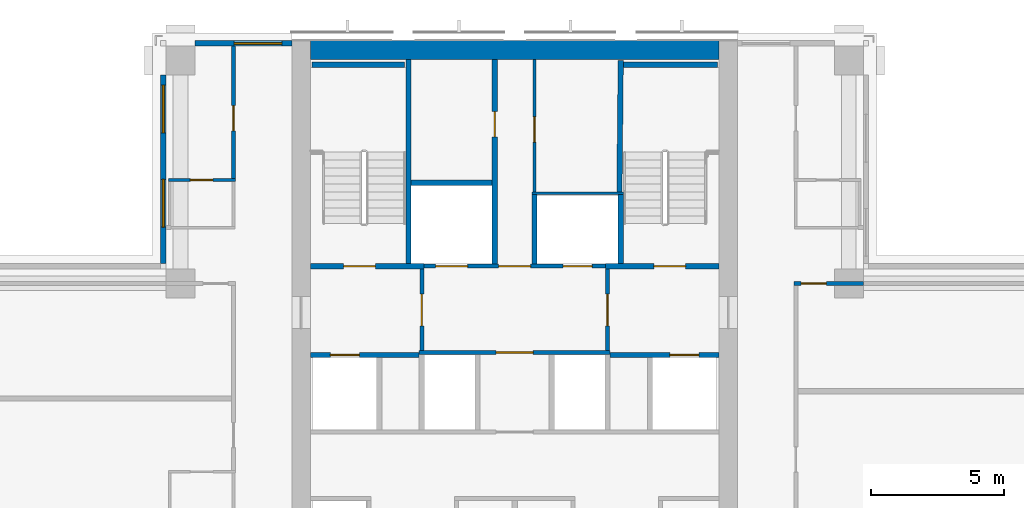
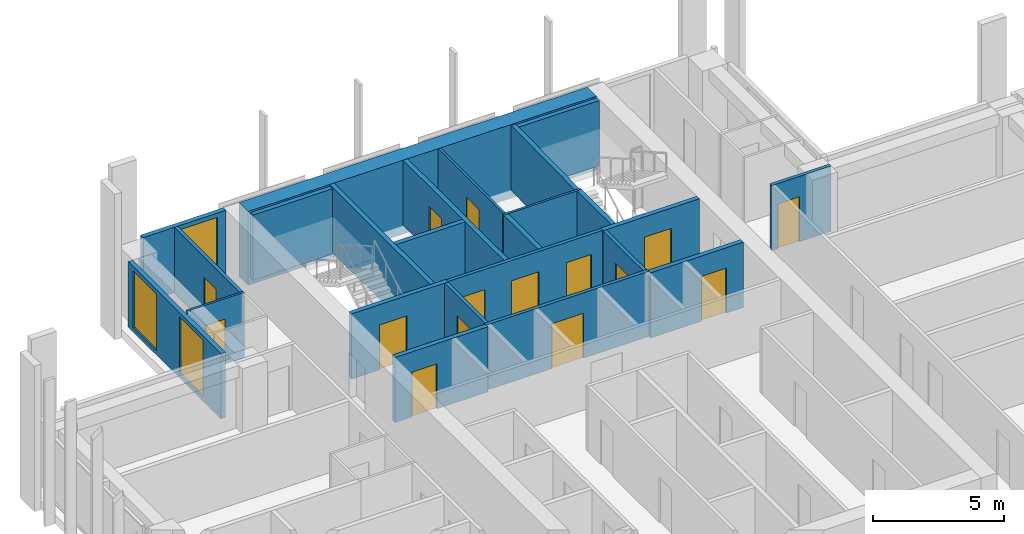
# One storey, part 12 of 16: 24 walls, 15 doors, 3 windows, 18 openings.
"""IFC4 building model written with IfcOpenShell, lengths in metres."""

from ifc_helpers import new_model, si_unit, direction, frame, frame_2d, origin, place, context, subcontext, project, spatial, rectangle, extrude, material, layer, layer_set, type_object, element, fill, save


model = new_model("IFC4")

# Units and contexts
model_context = context("Model", 3, precision=1e-05, world=origin(), true_north=direction((0.0, 1.0)))
body_context = subcontext(model_context, "Body", "Model", "MODEL_VIEW")
ifc_project = project(units=[si_unit("LENGTHUNIT", "METRE"), si_unit("AREAUNIT", "SQUARE_METRE"), si_unit("VOLUMEUNIT", "CUBIC_METRE"), si_unit("PLANEANGLEUNIT", "RADIAN"), si_unit("MASSUNIT", "GRAM", prefix="KILO")], contexts=[model_context])

# Site, building, storey
site_placement = place(None, origin())
site = spatial("IfcSite", under=ifc_project, at=site_placement, CompositionType="ELEMENT")
building_placement = place(site_placement, origin())
building = spatial("IfcBuilding", under=site, at=building_placement, Name="Vermilion Ogive Tower", CompositionType="ELEMENT")
storey_placement = place(building_placement, frame((0.0, 0.0, 164.14990234375)))
storey = spatial("IfcBuildingStorey", under=building, at=storey_placement, Name="L42", CompositionType="ELEMENT", Elevation=164.14990234375)

# Wall
ifc_material_1 = material(Name="Concrete B60", Category="concrete")
ifc_layer_1 = layer(ifc_material_1, 0.699951171875)
ifc_layer_set_1 = layer_set([ifc_layer_1], Name="Core wall 700 B60")
wall_type_1 = type_object("IfcWallType", Name="Core wall 700 B60", PredefinedType="SHEAR", material=ifc_layer_set_1)
wall_1_placement = place(storey_placement, frame((-7.699951171875, 21.39990234375, -0.39990234375), z_axis=(0.0, 0.0, 1.0), x_axis=(1.0, 0.0, 0.0)))
element("IfcWall", 1, at=wall_1_placement, inside=storey, type_object=wall_type_1, Name="L42-CORE-N", PredefinedType="SHEAR", context=body_context, shape_type="SweptSolid", body=[
    extrude(rectangle(XDim=15.39990234375, YDim=0.699951171875, at=frame_2d((7.699951171875, 0.0))), origin(), (0.0, 0.0, 1.0), 3.449951171875),
])

# Wall, opening, door
ifc_material_2 = material(Name="Gypsum board partition on steel studs", Category="steel")
ifc_layer_2 = layer(ifc_material_2, 0.10009765625)
ifc_layer_set_2 = layer_set([ifc_layer_2], Name="Partition 100 bath")
wall_type_2 = type_object("IfcWallType", Name="Partition 100 bath", PredefinedType="PARTITIONING", material=ifc_layer_set_2)
wall_2_placement = place(storey_placement, frame((-13.050048828125, 16.5, 0.0), z_axis=(0.0, 0.0, 1.0), x_axis=(1.0, 0.0, 0.0)))
wall_2 = element("IfcWall", 2, at=wall_2_placement, inside=storey, type_object=wall_type_2, Name="L42-W-W036", PredefinedType="PARTITIONING", context=body_context, shape_type="SweptSolid", body=[
    extrude(rectangle(XDim=2.525146484375, YDim=0.10009765625, at=frame_2d((1.2626953125, 0.0))), origin(), (0.0, 0.0, 1.0), 3.050048828125),
])
opening_1_placement = place(wall_2_placement, frame((0.824951171875, 0.0, 0.0)))
opening_1 = element("IfcOpeningElement", 3, at=opening_1_placement, cuts=wall_2, Name="Opening D3G5007", PredefinedType="OPENING", context=body_context, shape_type="SweptSolid", body=[
    extrude(rectangle(XDim=0.85009765625, YDim=2.10009765625, at=frame_2d((0.425048828125, 1.050048828125))), frame((0.0, 0.06005859375, 0.0), z_axis=(0.0, -1.0, 0.0), x_axis=(1.0, 0.0, 0.0)), (0.0, 0.0, 1.0), 0.1201171875),
])
ifc_material_3 = material(Name="Timber door leaf", Category="wood")
door_type_1 = type_object("IfcDoorType", Name="Bath door 850 x 2100 FD30", OperationType="SINGLE_SWING_LEFT", PredefinedType="DOOR", material=ifc_material_3)
door_1_placement = place(opening_1_placement, origin())
door_1 = element("IfcDoor", 4, at=door_1_placement, inside=storey, type_object=door_type_1, Name="L42-D-D007", OperationType="SINGLE_SWING_RIGHT", OverallHeight=2.10009765625, OverallWidth=0.85009765625, PredefinedType="DOOR", context=body_context, shape_type="SweptSolid", body=[
    extrude(rectangle(XDim=0.85009765625, YDim=2.10009765625, at=frame_2d((0.425048828125, 1.050048828125))), frame((0.0, 0.02490234375, 0.0), z_axis=(0.0, -1.0, 0.0), x_axis=(1.0, 0.0, 0.0)), (0.0, 0.0, 1.0), 0.050048828125),
])
fill(opening_1, door_1)

# Wall
wall_3_placement = place(storey_placement, frame((0.64990234375, 16.0, 0.0), z_axis=(0.0, 0.0, 1.0), x_axis=(1.0, 0.0, 0.0)))
element("IfcWall", 5, at=wall_3_placement, inside=storey, type_object=wall_type_2, Name="L42-CK-W-W018", PredefinedType="PARTITIONING", context=body_context, shape_type="SweptSolid", body=[
    extrude(rectangle(XDim=3.4501953125, YDim=0.10009765625, at=frame_2d((1.72509765625, 0.0))), origin(), (0.0, 0.0, 1.0), 3.050048828125),
])

# Wall, opening, door
wall_4_placement = place(storey_placement, frame((0.75, 16.050048828125, 0.0), z_axis=(0.0, 0.0, 1.0), x_axis=(0.0, 1.0, 0.0)))
wall_4 = element("IfcWall", 6, at=wall_4_placement, inside=storey, type_object=wall_type_2, Name="L42-CK-W-W030", PredefinedType="PARTITIONING", context=body_context, shape_type="SweptSolid", body=[
    extrude(rectangle(XDim=4.9990234375, YDim=0.10009765625, at=frame_2d((2.49951171875, 0.0))), origin(), (0.0, 0.0, 1.0), 3.050048828125),
])
opening_2_placement = place(wall_4_placement, frame((1.875, 0.0, 0.0)))
opening_2 = element("IfcOpeningElement", 7, at=opening_2_placement, cuts=wall_4, Name="Opening DAA383", PredefinedType="OPENING", context=body_context, shape_type="SweptSolid", body=[
    extrude(rectangle(XDim=0.949951171875, YDim=2.10009765625, at=frame_2d((0.47509765625, 1.050048828125))), frame((0.0, 0.06005859375, 0.0), z_axis=(0.0, -1.0, 0.0), x_axis=(1.0, 0.0, 0.0)), (0.0, 0.0, 1.0), 0.1201171875),
])
ifc_material_4 = material(Name="Timber door leaf", Category="wood")
door_type_2 = type_object("IfcDoorType", Name="Service door 950 x 2100 FD60", OperationType="SINGLE_SWING_LEFT", PredefinedType="DOOR", material=ifc_material_4)
door_2_placement = place(opening_2_placement, origin())
door_2 = element("IfcDoor", 8, at=door_2_placement, inside=storey, type_object=door_type_2, Name="L42-CK-D-D022", OperationType="SINGLE_SWING_LEFT", OverallHeight=2.10009765625, OverallWidth=0.949951171875, PredefinedType="DOOR", context=body_context, shape_type="SweptSolid", body=[
    extrude(rectangle(XDim=0.949951171875, YDim=2.10009765625, at=frame_2d((0.47509765625, 1.050048828125))), frame((0.0, 0.02490234375, 0.0), z_axis=(0.0, -1.0, 0.0), x_axis=(1.0, 0.0, 0.0)), (0.0, 0.0, 1.0), 0.050048828125),
])
fill(opening_2, door_2)

ifc_material_5 = material(Name="Gypsum board partition on steel studs", Category="steel")
ifc_layer_3 = layer(ifc_material_5, 0.14990234375)
ifc_layer_set_3 = layer_set([ifc_layer_3], Name="Partition 150 corridor")
wall_type_3 = type_object("IfcWallType", Name="Partition 150 corridor", PredefinedType="PARTITIONING", material=ifc_layer_set_3)
wall_5_placement = place(storey_placement, frame((10.52490234375, 12.60009765625, 0.0), z_axis=(0.0, 0.0, 1.0), x_axis=(1.0, 0.0, 0.0)))
wall_5 = element("IfcWall", 9, at=wall_5_placement, inside=storey, type_object=wall_type_3, Name="L42-W-W031", PredefinedType="PARTITIONING", context=body_context, shape_type="SweptSolid", body=[
    extrude(rectangle(XDim=2.625, YDim=0.14990234375, at=frame_2d((1.3125, 0.0))), origin(), (0.0, 0.0, 1.0), 3.050048828125),
])
opening_3_placement = place(wall_5_placement, frame((0.275146484375, 0.0, 0.0)))
opening_3 = element("IfcOpeningElement", 10, at=opening_3_placement, cuts=wall_5, Name="Opening D3G5015", PredefinedType="OPENING", context=body_context, shape_type="SweptSolid", body=[
    extrude(rectangle(XDim=0.949951171875, YDim=2.10009765625, at=frame_2d((0.47509765625, 1.050048828125))), frame((0.0, 0.0849609375, 0.0), z_axis=(0.0, -1.0, 0.0), x_axis=(1.0, 0.0, 0.0)), (0.0, 0.0, 1.0), 0.169921875),
])
ifc_material_6 = material(Name="Timber door leaf", Category="wood")
door_type_3 = type_object("IfcDoorType", Name="Unit door 950 x 2100 FD30S", OperationType="SINGLE_SWING_LEFT", PredefinedType="DOOR", material=ifc_material_6)
door_3_placement = place(opening_3_placement, origin())
door_3 = element("IfcDoor", 11, at=door_3_placement, inside=storey, type_object=door_type_3, Name="L42-D-D015", OperationType="SINGLE_SWING_RIGHT", OverallHeight=2.10009765625, OverallWidth=0.949951171875, PredefinedType="DOOR", context=body_context, shape_type="SweptSolid", body=[
    extrude(rectangle(XDim=0.949951171875, YDim=2.10009765625, at=frame_2d((0.47509765625, 1.050048828125))), frame((0.0, 0.02490234375, 0.0), z_axis=(0.0, -1.0, 0.0), x_axis=(1.0, 0.0, 0.0)), (0.0, 0.0, 1.0), 0.050048828125),
])
fill(opening_3, door_3)

wall_6_placement = place(storey_placement, frame((-10.60009765625, 16.550048828125, 0.0), z_axis=(0.0, 0.0, 1.0), x_axis=(0.0, 1.0, 0.0)))
wall_6 = element("IfcWall", 12, at=wall_6_placement, inside=storey, type_object=wall_type_3, Name="L42-W-W049", PredefinedType="PARTITIONING", context=body_context, shape_type="SweptSolid", body=[
    extrude(rectangle(XDim=5.0, YDim=0.14990234375, at=frame_2d((2.5, 0.0))), origin(), (0.0, 0.0, 1.0), 3.050048828125),
])
opening_4_placement = place(wall_6_placement, frame((1.800048828125, 0.0, 0.0)))
opening_4 = element("IfcOpeningElement", 13, at=opening_4_placement, cuts=wall_6, Name="Opening D3G5006", PredefinedType="OPENING", context=body_context, shape_type="SweptSolid", body=[
    extrude(rectangle(XDim=0.949951171875, YDim=2.10009765625, at=frame_2d((0.47509765625, 1.050048828125))), frame((0.0, 0.0849609375, 0.0), z_axis=(0.0, -1.0, 0.0), x_axis=(1.0, 0.0, 0.0)), (0.0, 0.0, 1.0), 0.169921875),
])
door_4_placement = place(opening_4_placement, origin())
door_4 = element("IfcDoor", 14, at=door_4_placement, inside=storey, type_object=door_type_3, Name="L42-D-D006", OperationType="SINGLE_SWING_RIGHT", OverallHeight=2.10009765625, OverallWidth=0.949951171875, PredefinedType="DOOR", context=body_context, shape_type="SweptSolid", body=[
    extrude(rectangle(XDim=0.949951171875, YDim=2.10009765625, at=frame_2d((0.47509765625, 1.050048828125))), frame((0.0, 0.02490234375, 0.0), z_axis=(0.0, -1.0, 0.0), x_axis=(1.0, 0.0, 0.0)), (0.0, 0.0, 1.0), 0.050048828125),
])
fill(opening_4, door_4)

wall_7_placement = place(storey_placement, frame((-3.60009765625, 10.0, 0.0), z_axis=(0.0, 0.0, 1.0), x_axis=(1.0, 0.0, 0.0)))
wall_7 = element("IfcWall", 15, at=wall_7_placement, inside=storey, type_object=wall_type_3, Name="L42-CK-W-W014", PredefinedType="PARTITIONING", context=body_context, shape_type="SweptSolid", body=[
    extrude(rectangle(XDim=7.2001953125, YDim=0.14990234375, at=frame_2d((3.60009765625, 0.0))), origin(), (0.0, 0.0, 1.0), 3.050048828125),
])
opening_5_placement = place(wall_7_placement, frame((2.900146484375, 0.0, 0.0)))
opening_5 = element("IfcOpeningElement", 16, at=opening_5_placement, cuts=wall_7, Name="Opening DAA374", PredefinedType="OPENING", context=body_context, shape_type="SweptSolid", body=[
    extrude(rectangle(XDim=1.39990234375, YDim=2.10009765625, at=frame_2d((0.699951171875, 1.050048828125))), frame((0.0, 0.0849609375, 0.0), z_axis=(0.0, -1.0, 0.0), x_axis=(1.0, 0.0, 0.0)), (0.0, 0.0, 1.0), 0.169921875),
])
ifc_material_7 = material(Name="Timber door leaf", Category="wood")
door_type_4 = type_object("IfcDoorType", Name="Lobby door 1400 x 2100 FD60S", OperationType="SINGLE_SWING_LEFT", PredefinedType="DOOR", material=ifc_material_7)
door_5_placement = place(opening_5_placement, origin())
door_5 = element("IfcDoor", 17, at=door_5_placement, inside=storey, type_object=door_type_4, Name="L42-CK-D-D017", OperationType="SINGLE_SWING_RIGHT", OverallHeight=2.10009765625, OverallWidth=1.39990234375, PredefinedType="DOOR", context=body_context, shape_type="SweptSolid", body=[
    extrude(rectangle(XDim=1.39990234375, YDim=2.10009765625, at=frame_2d((0.699951171875, 1.050048828125))), frame((0.0, 0.02490234375, 0.0), z_axis=(0.0, -1.0, 0.0), x_axis=(1.0, 0.0, 0.0)), (0.0, 0.0, 1.0), 0.050048828125),
])
fill(opening_5, door_5)

# Wall, openings, doors
wall_8_placement = place(storey_placement, frame((-3.574951171875, 13.25, 0.0), z_axis=(0.0, 0.0, 1.0), x_axis=(1.0, 0.0, 0.0)))
wall_8 = element("IfcWall", 18, at=wall_8_placement, inside=storey, type_object=wall_type_3, Name="L42-CK-W-W016", PredefinedType="PARTITIONING", context=body_context, shape_type="SweptSolid", body=[
    extrude(rectangle(XDim=7.14990234375, YDim=0.14990234375, at=frame_2d((3.574951171875, 0.0))), origin(), (0.0, 0.0, 1.0), 3.050048828125),
])
opening_6_placement = place(wall_8_placement, frame((0.599853515625, 0.0, 0.0)))
opening_6 = element("IfcOpeningElement", 19, at=opening_6_placement, cuts=wall_8, Name="Opening DAA394", PredefinedType="OPENING", context=body_context, shape_type="SweptSolid", body=[
    extrude(rectangle(XDim=1.199951171875, YDim=2.10009765625, at=frame_2d((0.60009765625, 1.050048828125))), frame((0.0, 0.0849609375, 0.0), z_axis=(0.0, -1.0, 0.0), x_axis=(1.0, 0.0, 0.0)), (0.0, 0.0, 1.0), 0.169921875),
])
opening_7_placement = place(wall_8_placement, frame((5.39990234375, 0.0, 0.0)))
opening_7 = element("IfcOpeningElement", 20, at=opening_7_placement, cuts=wall_8, Name="Opening DAA393", PredefinedType="OPENING", context=body_context, shape_type="SweptSolid", body=[
    extrude(rectangle(XDim=1.10009765625, YDim=2.10009765625, at=frame_2d((0.550048828125, 1.050048828125))), frame((0.0, 0.0849609375, 0.0), z_axis=(0.0, -1.0, 0.0), x_axis=(1.0, 0.0, 0.0)), (0.0, 0.0, 1.0), 0.169921875),
])
opening_8_placement = place(wall_8_placement, frame((2.974853515625, 0.0, 0.0)))
opening_8 = element("IfcOpeningElement", 21, at=opening_8_placement, cuts=wall_8, Name="Opening DAA375", PredefinedType="OPENING", context=body_context, shape_type="SweptSolid", body=[
    extrude(rectangle(XDim=1.199951171875, YDim=2.10009765625, at=frame_2d((0.60009765625, 1.050048828125))), frame((0.0, 0.0849609375, 0.0), z_axis=(0.0, -1.0, 0.0), x_axis=(1.0, 0.0, 0.0)), (0.0, 0.0, 1.0), 0.169921875),
])
ifc_material_8 = material(Name="Stainless steel", Category="steel")
door_type_5 = type_object("IfcDoorType", Name="Lift landing door 1100 x 2100", OperationType="SLIDING_TO_LEFT", PredefinedType="DOOR", material=ifc_material_8)
door_6_placement = place(opening_7_placement, origin())
door_6 = element("IfcDoor", 22, at=door_6_placement, inside=storey, type_object=door_type_5, Name="L42-CK-D-D019", OperationType="SLIDING_TO_LEFT", OverallHeight=2.10009765625, OverallWidth=1.10009765625, PredefinedType="DOOR", context=body_context, shape_type="SweptSolid", body=[
    extrude(rectangle(XDim=1.10009765625, YDim=2.10009765625, at=frame_2d((0.550048828125, 1.050048828125))), frame((0.0, 0.02490234375, 0.0), z_axis=(0.0, -1.0, 0.0), x_axis=(1.0, 0.0, 0.0)), (0.0, 0.0, 1.0), 0.050048828125),
])
fill(opening_7, door_6)
ifc_material_9 = material(Name="Stainless steel", Category="steel")
door_type_6 = type_object("IfcDoorType", Name="Lift landing door 1200 x 2100", OperationType="SLIDING_TO_LEFT", PredefinedType="DOOR", material=ifc_material_9)
door_7_placement = place(opening_6_placement, origin())
door_7 = element("IfcDoor", 23, at=door_7_placement, inside=storey, type_object=door_type_6, Name="L42-CK-D-D018", OperationType="SLIDING_TO_RIGHT", OverallHeight=2.10009765625, OverallWidth=1.199951171875, PredefinedType="DOOR", context=body_context, shape_type="SweptSolid", body=[
    extrude(rectangle(XDim=1.199951171875, YDim=2.10009765625, at=frame_2d((0.60009765625, 1.050048828125))), frame((0.0, 0.02490234375, 0.0), z_axis=(0.0, -1.0, 0.0), x_axis=(1.0, 0.0, 0.0)), (0.0, 0.0, 1.0), 0.050048828125),
])
fill(opening_6, door_7)
ifc_material_10 = material(Name="Timber door leaf", Category="wood")
door_type_7 = type_object("IfcDoorType", Name="Service door 1200 x 2100 FD60", OperationType="SINGLE_SWING_LEFT", PredefinedType="DOOR", material=ifc_material_10)
door_8_placement = place(opening_8_placement, origin())
door_8 = element("IfcDoor", 24, at=door_8_placement, inside=storey, type_object=door_type_7, Name="L42-CK-D-D020", OperationType="SINGLE_SWING_RIGHT", OverallHeight=2.10009765625, OverallWidth=1.199951171875, PredefinedType="DOOR", context=body_context, shape_type="SweptSolid", body=[
    extrude(rectangle(XDim=1.199951171875, YDim=2.10009765625, at=frame_2d((0.60009765625, 1.050048828125))), frame((0.0, 0.02490234375, 0.0), z_axis=(0.0, -1.0, 0.0), x_axis=(1.0, 0.0, 0.0)), (0.0, 0.0, 1.0), 0.050048828125),
])
fill(opening_8, door_8)

# Wall, opening, door
wall_9_placement = place(storey_placement, frame((-3.5, 10.074951171875, 0.0), z_axis=(0.0, 0.0, 1.0), x_axis=(0.0, 1.0, 0.0)))
wall_9 = element("IfcWall", 25, at=wall_9_placement, inside=storey, type_object=wall_type_3, Name="L42-CK-W-W024", PredefinedType="PARTITIONING", context=body_context, shape_type="SweptSolid", body=[
    extrude(rectangle(XDim=3.074951171875, YDim=0.14990234375, at=frame_2d((1.53759765625, 0.0))), origin(), (0.0, 0.0, 1.0), 3.050048828125),
])
opening_9_placement = place(wall_9_placement, frame((0.925048828125, 0.0, 0.0)))
opening_9 = element("IfcOpeningElement", 26, at=opening_9_placement, cuts=wall_9, Name="Opening DAA371", PredefinedType="OPENING", context=body_context, shape_type="SweptSolid", body=[
    extrude(rectangle(XDim=1.199951171875, YDim=2.10009765625, at=frame_2d((0.60009765625, 1.050048828125))), frame((0.0, 0.0849609375, 0.0), z_axis=(0.0, -1.0, 0.0), x_axis=(1.0, 0.0, 0.0)), (0.0, 0.0, 1.0), 0.169921875),
])
ifc_material_11 = material(Name="Timber door leaf", Category="wood")
door_type_8 = type_object("IfcDoorType", Name="Lobby door 1200 x 2100 FD60S", OperationType="SINGLE_SWING_LEFT", PredefinedType="DOOR", material=ifc_material_11)
door_9_placement = place(opening_9_placement, origin())
door_9 = element("IfcDoor", 27, at=door_9_placement, inside=storey, type_object=door_type_8, Name="L42-CK-D-D023", OperationType="SINGLE_SWING_RIGHT", OverallHeight=2.10009765625, OverallWidth=1.199951171875, PredefinedType="DOOR", context=body_context, shape_type="SweptSolid", body=[
    extrude(rectangle(XDim=1.199951171875, YDim=2.10009765625, at=frame_2d((0.60009765625, 1.050048828125))), frame((0.0, 0.02490234375, 0.0), z_axis=(0.0, -1.0, 0.0), x_axis=(1.0, 0.0, 0.0)), (0.0, 0.0, 1.0), 0.050048828125),
])
fill(opening_9, door_9)

wall_10_placement = place(storey_placement, frame((3.5, 10.074951171875, 0.0), z_axis=(0.0, 0.0, 1.0), x_axis=(0.0, 1.0, 0.0)))
wall_10 = element("IfcWall", 28, at=wall_10_placement, inside=storey, type_object=wall_type_3, Name="L42-CK-W-W034", PredefinedType="PARTITIONING", context=body_context, shape_type="SweptSolid", body=[
    extrude(rectangle(XDim=3.074951171875, YDim=0.14990234375, at=frame_2d((1.53759765625, 0.0))), origin(), (0.0, 0.0, 1.0), 3.050048828125),
])
opening_10_placement = place(wall_10_placement, frame((0.925048828125, 0.0, 0.0)))
opening_10 = element("IfcOpeningElement", 29, at=opening_10_placement, cuts=wall_10, Name="Opening DAA372", PredefinedType="OPENING", context=body_context, shape_type="SweptSolid", body=[
    extrude(rectangle(XDim=1.199951171875, YDim=2.10009765625, at=frame_2d((0.60009765625, 1.050048828125))), frame((0.0, 0.0849609375, 0.0), z_axis=(0.0, -1.0, 0.0), x_axis=(1.0, 0.0, 0.0)), (0.0, 0.0, 1.0), 0.169921875),
])
door_10_placement = place(opening_10_placement, origin())
door_10 = element("IfcDoor", 30, at=door_10_placement, inside=storey, type_object=door_type_8, Name="L42-CK-D-D024", OperationType="SINGLE_SWING_LEFT", OverallHeight=2.10009765625, OverallWidth=1.199951171875, PredefinedType="DOOR", context=body_context, shape_type="SweptSolid", body=[
    extrude(rectangle(XDim=1.199951171875, YDim=2.10009765625, at=frame_2d((0.60009765625, 1.050048828125))), frame((0.0, 0.02490234375, 0.0), z_axis=(0.0, -1.0, 0.0), x_axis=(1.0, 0.0, 0.0)), (0.0, 0.0, 1.0), 0.050048828125),
])
fill(opening_10, door_10)

ifc_material_12 = material(Name="Gypsum board partition on steel studs", Category="steel")
ifc_layer_4 = layer(ifc_material_12, 0.199951171875)
ifc_layer_set_4 = layer_set([ifc_layer_4], Name="Partition 200 party")
wall_type_4 = type_object("IfcWallType", Name="Partition 200 party", PredefinedType="PARTITIONING", material=ifc_layer_set_4)
wall_11_placement = place(storey_placement, frame((-7.698974609375, 9.89990234375, 0.0), z_axis=(0.0, 0.0, 1.0), x_axis=(1.0, 0.0, 0.0)))
wall_11 = element("IfcWall", 31, at=wall_11_placement, inside=storey, type_object=wall_type_4, Name="L42-CK-W-W012", PredefinedType="PARTITIONING", context=body_context, shape_type="SweptSolid", body=[
    extrude(rectangle(XDim=4.098876953125, YDim=0.199951171875, at=frame_2d((2.04931640625, 0.0))), origin(), (0.0, 0.0, 1.0), 3.050048828125),
])
opening_11_placement = place(wall_11_placement, frame((0.7490234375, 0.0, 0.0)))
opening_11 = element("IfcOpeningElement", 32, at=opening_11_placement, cuts=wall_11, Name="Opening DAA391", PredefinedType="OPENING", context=body_context, shape_type="SweptSolid", body=[
    extrude(rectangle(XDim=1.10009765625, YDim=2.10009765625, at=frame_2d((0.550048828125, 1.050048828125))), frame((0.0, 0.10986328125, 0.0), z_axis=(0.0, -1.0, 0.0), x_axis=(1.0, 0.0, 0.0)), (0.0, 0.0, 1.0), 0.219970703125),
])
door_11_placement = place(opening_11_placement, origin())
door_11 = element("IfcDoor", 33, at=door_11_placement, inside=storey, type_object=door_type_5, Name="L42-CK-D-D013", OperationType="SLIDING_TO_RIGHT", OverallHeight=2.10009765625, OverallWidth=1.10009765625, PredefinedType="DOOR", context=body_context, shape_type="SweptSolid", body=[
    extrude(rectangle(XDim=1.10009765625, YDim=2.10009765625, at=frame_2d((0.550048828125, 1.050048828125))), frame((0.0, 0.02490234375, 0.0), z_axis=(0.0, -1.0, 0.0), x_axis=(1.0, 0.0, 0.0)), (0.0, 0.0, 1.0), 0.050048828125),
])
fill(opening_11, door_11)

wall_12_placement = place(storey_placement, frame((3.60009765625, 9.89990234375, 0.0), z_axis=(0.0, 0.0, 1.0), x_axis=(1.0, 0.0, 0.0)))
wall_12 = element("IfcWall", 34, at=wall_12_placement, inside=storey, type_object=wall_type_4, Name="L42-CK-W-W013", PredefinedType="PARTITIONING", context=body_context, shape_type="SweptSolid", body=[
    extrude(rectangle(XDim=4.098876953125, YDim=0.199951171875, at=frame_2d((2.04931640625, 0.0))), origin(), (0.0, 0.0, 1.0), 3.050048828125),
])
opening_12_placement = place(wall_12_placement, frame((2.25, 0.0, 0.0)))
opening_12 = element("IfcOpeningElement", 35, at=opening_12_placement, cuts=wall_12, Name="Opening DAA392", PredefinedType="OPENING", context=body_context, shape_type="SweptSolid", body=[
    extrude(rectangle(XDim=1.10009765625, YDim=2.10009765625, at=frame_2d((0.550048828125, 1.050048828125))), frame((0.0, 0.10986328125, 0.0), z_axis=(0.0, -1.0, 0.0), x_axis=(1.0, 0.0, 0.0)), (0.0, 0.0, 1.0), 0.219970703125),
])
door_12_placement = place(opening_12_placement, origin())
door_12 = element("IfcDoor", 36, at=door_12_placement, inside=storey, type_object=door_type_5, Name="L42-CK-D-D015", OperationType="SLIDING_TO_LEFT", OverallHeight=2.10009765625, OverallWidth=1.10009765625, PredefinedType="DOOR", context=body_context, shape_type="SweptSolid", body=[
    extrude(rectangle(XDim=1.10009765625, YDim=2.10009765625, at=frame_2d((0.550048828125, 1.050048828125))), frame((0.0, 0.02490234375, 0.0), z_axis=(0.0, -1.0, 0.0), x_axis=(1.0, 0.0, 0.0)), (0.0, 0.0, 1.0), 0.050048828125),
])
fill(opening_12, door_12)

# Wall
wall_13_placement = place(storey_placement, frame((-3.89990234375, 16.39990234375, 0.0), z_axis=(0.0, 0.0, 1.0), x_axis=(1.0, 0.0, 0.0)))
element("IfcWall", 37, at=wall_13_placement, inside=storey, type_object=wall_type_4, Name="L42-CK-W-W019", PredefinedType="PARTITIONING", context=body_context, shape_type="SweptSolid", body=[
    extrude(rectangle(XDim=3.0498046875, YDim=0.199951171875, at=frame_2d((1.52490234375, 0.0))), origin(), (0.0, 0.0, 1.0), 3.050048828125),
])

# Wall, opening, door
wall_14_placement = place(storey_placement, frame((-0.75, 13.324951171875, 0.0), z_axis=(0.0, 0.0, 1.0), x_axis=(0.0, 1.0, 0.0)))
wall_14 = element("IfcWall", 38, at=wall_14_placement, inside=storey, type_object=wall_type_4, Name="L42-CK-W-W027", PredefinedType="PARTITIONING", context=body_context, shape_type="SweptSolid", body=[
    extrude(rectangle(XDim=7.72412109375, YDim=0.199951171875, at=frame_2d((3.862060546875, 0.0))), origin(), (0.0, 0.0, 1.0), 3.050048828125),
])
opening_13_placement = place(wall_14_placement, frame((4.800048828125, 0.0, 0.0)))
opening_13 = element("IfcOpeningElement", 39, at=opening_13_placement, cuts=wall_14, Name="Opening DAA382", PredefinedType="OPENING", context=body_context, shape_type="SweptSolid", body=[
    extrude(rectangle(XDim=0.949951171875, YDim=2.10009765625, at=frame_2d((0.47509765625, 1.050048828125))), frame((0.0, 0.10986328125, 0.0), z_axis=(0.0, -1.0, 0.0), x_axis=(1.0, 0.0, 0.0)), (0.0, 0.0, 1.0), 0.219970703125),
])
door_13_placement = place(opening_13_placement, origin())
door_13 = element("IfcDoor", 40, at=door_13_placement, inside=storey, type_object=door_type_2, Name="L42-CK-D-D021", OperationType="SINGLE_SWING_RIGHT", OverallHeight=2.10009765625, OverallWidth=0.949951171875, PredefinedType="DOOR", context=body_context, shape_type="SweptSolid", body=[
    extrude(rectangle(XDim=0.949951171875, YDim=2.10009765625, at=frame_2d((0.47509765625, 1.050048828125))), frame((0.0, 0.02490234375, 0.0), z_axis=(0.0, -1.0, 0.0), x_axis=(1.0, 0.0, 0.0)), (0.0, 0.0, 1.0), 0.050048828125),
])
fill(opening_13, door_13)

# Wall
wall_15_placement = place(storey_placement, frame((0.75, 13.324951171875, 0.0), z_axis=(0.0, 0.0, 1.0), x_axis=(0.0, 1.0, 0.0)))
element("IfcWall", 41, at=wall_15_placement, inside=storey, type_object=wall_type_4, Name="L42-CK-W-W029", PredefinedType="PARTITIONING", context=body_context, shape_type="SweptSolid", body=[
    extrude(rectangle(XDim=2.625, YDim=0.199951171875, at=frame_2d((1.3125, 0.0))), origin(), (0.0, 0.0, 1.0), 3.050048828125),
])

# Wall, opening, door
ifc_material_13 = material(Name="Concrete B60", Category="concrete")
ifc_layer_5 = layer(ifc_material_13, 0.199951171875)
ifc_layer_set_5 = layer_set([ifc_layer_5], Name="Stair shaft wall 200 Concrete B60")
wall_type_5 = type_object("IfcWallType", Name="Stair shaft wall 200 Concrete B60", PredefinedType="SOLIDWALL", material=ifc_layer_set_5)
wall_16_placement = place(storey_placement, frame((-7.698974609375, 13.25, 0.0), z_axis=(0.0, 0.0, 1.0), x_axis=(1.0, 0.0, 0.0)))
wall_16 = element("IfcWall", 42, at=wall_16_placement, inside=storey, type_object=wall_type_5, Name="L42-CK-W-W015", PredefinedType="SOLIDWALL", context=body_context, shape_type="SweptSolid", body=[
    extrude(rectangle(XDim=4.27392578125, YDim=0.199951171875, at=frame_2d((2.136962890625, 0.0))), origin(), (0.0, 0.0, 1.0), 3.050048828125),
])
opening_14_placement = place(wall_16_placement, frame((1.2490234375, 0.0, 0.0)))
opening_14 = element("IfcOpeningElement", 43, at=opening_14_placement, cuts=wall_16, Name="Opening DAA384", PredefinedType="OPENING", context=body_context, shape_type="SweptSolid", body=[
    extrude(rectangle(XDim=1.199951171875, YDim=2.10009765625, at=frame_2d((0.60009765625, 1.050048828125))), frame((0.0, 0.10986328125, 0.0), z_axis=(0.0, -1.0, 0.0), x_axis=(1.0, 0.0, 0.0)), (0.0, 0.0, 1.0), 0.219970703125),
])
ifc_material_14 = material(Name="Timber door leaf", Category="wood")
door_type_9 = type_object("IfcDoorType", Name="Stair door 1200 x 2100 FD60S", OperationType="SINGLE_SWING_LEFT", PredefinedType="DOOR", material=ifc_material_14)
door_14_placement = place(opening_14_placement, origin())
door_14 = element("IfcDoor", 44, at=door_14_placement, inside=storey, type_object=door_type_9, Name="L42-CK-D-D012", OperationType="SINGLE_SWING_LEFT", OverallHeight=2.10009765625, OverallWidth=1.199951171875, PredefinedType="DOOR", context=body_context, shape_type="SweptSolid", body=[
    extrude(rectangle(XDim=1.199951171875, YDim=2.10009765625, at=frame_2d((0.60009765625, 1.050048828125))), frame((0.0, 0.02490234375, 0.0), z_axis=(0.0, -1.0, 0.0), x_axis=(1.0, 0.0, 0.0)), (0.0, 0.0, 1.0), 0.050048828125),
])
fill(opening_14, door_14)

wall_17_placement = place(storey_placement, frame((3.425048828125, 13.25, 0.0), z_axis=(0.0, 0.0, 1.0), x_axis=(1.0, 0.0, 0.0)))
wall_17 = element("IfcWall", 45, at=wall_17_placement, inside=storey, type_object=wall_type_5, Name="L42-CK-W-W017", PredefinedType="SOLIDWALL", context=body_context, shape_type="SweptSolid", body=[
    extrude(rectangle(XDim=4.27392578125, YDim=0.199951171875, at=frame_2d((2.136962890625, 0.0))), origin(), (0.0, 0.0, 1.0), 3.050048828125),
])
opening_15_placement = place(wall_17_placement, frame((1.824951171875, 0.0, 0.0)))
opening_15 = element("IfcOpeningElement", 46, at=opening_15_placement, cuts=wall_17, Name="Opening DAA385", PredefinedType="OPENING", context=body_context, shape_type="SweptSolid", body=[
    extrude(rectangle(XDim=1.199951171875, YDim=2.10009765625, at=frame_2d((0.60009765625, 1.050048828125))), frame((0.0, 0.10986328125, 0.0), z_axis=(0.0, -1.0, 0.0), x_axis=(1.0, 0.0, 0.0)), (0.0, 0.0, 1.0), 0.219970703125),
])
door_15_placement = place(opening_15_placement, origin())
door_15 = element("IfcDoor", 47, at=door_15_placement, inside=storey, type_object=door_type_9, Name="L42-CK-D-D014", OperationType="SINGLE_SWING_RIGHT", OverallHeight=2.10009765625, OverallWidth=1.199951171875, PredefinedType="DOOR", context=body_context, shape_type="SweptSolid", body=[
    extrude(rectangle(XDim=1.199951171875, YDim=2.10009765625, at=frame_2d((0.60009765625, 1.050048828125))), frame((0.0, 0.02490234375, 0.0), z_axis=(0.0, -1.0, 0.0), x_axis=(1.0, 0.0, 0.0)), (0.0, 0.0, 1.0), 0.050048828125),
])
fill(opening_15, door_15)

# Walls
wall_18_placement = place(storey_placement, frame((-4.0, 13.35009765625, 0.0), z_axis=(0.0, 0.0, 1.0), x_axis=(0.0, 1.0, 0.0)))
element("IfcWall", 48, at=wall_18_placement, inside=storey, type_object=wall_type_5, Name="L42-CK-W-W022", PredefinedType="SOLIDWALL", context=body_context, shape_type="SweptSolid", body=[
    extrude(rectangle(XDim=7.698974609375, YDim=0.199951171875, at=frame_2d((3.849609375, 0.0))), origin(), (0.0, 0.0, 1.0), 3.050048828125),
])
wall_19_placement = place(storey_placement, frame((4.0, 13.35009765625, 0.0), z_axis=(0.0, 0.0, 1.0), x_axis=(0.0, 1.0, 0.0)))
element("IfcWall", 49, at=wall_19_placement, inside=storey, type_object=wall_type_5, Name="L42-CK-W-W035", PredefinedType="SOLIDWALL", context=body_context, shape_type="SweptSolid", body=[
    extrude(rectangle(XDim=2.599853515625, YDim=0.199951171875, at=frame_2d((1.2998046875, 0.0))), origin(), (0.0, 0.0, 1.0), 3.050048828125),
])
wall_20_placement = place(storey_placement, frame((3.949951171875, 16.050048828125, 0.0), z_axis=(0.0, 0.0, 1.0), x_axis=(0.010112452169, 0.999948867848, 0.0)))
element("IfcWall", 50, at=wall_20_placement, inside=storey, type_object=wall_type_5, Name="L42-CK-W-W036", PredefinedType="SOLIDWALL", context=body_context, shape_type="SweptSolid", body=[
    extrude(rectangle(XDim=4.94921875, YDim=0.199951171875, at=frame_2d((2.474609375, 0.0))), origin(), (0.0, 0.0, 1.0), 3.050048828125),
])
wall_21_placement = place(storey_placement, frame((-7.64990234375, 20.85009765625, 0.0), z_axis=(0.0, 0.0, 1.0), x_axis=(1.0, 0.0, 0.0)))
element("IfcWall", 51, at=wall_21_placement, inside=storey, type_object=wall_type_5, Name="L42-SW-R017-N1", PredefinedType="SOLIDWALL", context=body_context, shape_type="SweptSolid", body=[
    extrude(rectangle(XDim=3.5, YDim=0.199951171875, at=frame_2d((1.75, 0.0))), origin(), (0.0, 0.0, 1.0), 3.050048828125),
])
wall_22_placement = place(storey_placement, frame((4.10009765625, 20.85009765625, 0.0), z_axis=(0.0, 0.0, 1.0), x_axis=(1.0, 0.0, 0.0)))
element("IfcWall", 52, at=wall_22_placement, inside=storey, type_object=wall_type_5, Name="L42-SW-R021-N1", PredefinedType="SOLIDWALL", context=body_context, shape_type="SweptSolid", body=[
    extrude(rectangle(XDim=3.5498046875, YDim=0.199951171875, at=frame_2d((1.77490234375, 0.0))), origin(), (0.0, 0.0, 1.0), 3.050048828125),
])

# Wall, opening, window
ifc_material_15 = material(Name="Aluminium window wall framing", Category="aluminium")
ifc_layer_6 = layer(ifc_material_15, 0.199951171875)
ifc_layer_set_6 = layer_set([ifc_layer_6], Name="Window wall")
wall_type_6 = type_object("IfcWallType", Name="Window wall", PredefinedType="STANDARD", material=ifc_layer_set_6)
wall_23_placement = place(storey_placement, frame((-8.39990234375, 21.64990234375, 0.0), z_axis=(0.0, 0.0, 1.0), x_axis=(-1.0, 0.0, 0.0)))
wall_23 = element("IfcWall", 53, at=wall_23_placement, inside=storey, type_object=wall_type_6, Name="Window wall N21", PredefinedType="STANDARD", context=body_context, shape_type="SweptSolid", body=[
    extrude(rectangle(XDim=3.650146484375, YDim=0.199951171875, at=frame_2d((1.8251953125, 0.0))), origin(), (0.0, 0.0, 1.0), 3.050048828125),
])
opening_16_placement = place(wall_23_placement, frame((0.375, 0.0, 0.199951171875)))
opening_16 = element("IfcOpeningElement", 54, at=opening_16_placement, cuts=wall_23, Name="Opening W1-N297", PredefinedType="OPENING", context=body_context, shape_type="SweptSolid", body=[
    extrude(rectangle(XDim=1.800048828125, YDim=2.64990234375, at=frame_2d((0.89990234375, 1.324951171875))), frame((0.0, 0.10986328125, 0.0), z_axis=(0.0, -1.0, 0.0), x_axis=(1.0, 0.0, 0.0)), (0.0, 0.0, 1.0), 0.219970703125),
])
ifc_material_16 = material(Name="Aluminium framed double glazing", Category="aluminium")
window_type = type_object("IfcWindowType", Name="Guest window W1", PartitioningType="SINGLE_PANEL", PredefinedType="WINDOW", material=ifc_material_16)
window_1_placement = place(opening_16_placement, origin())
window_1 = element("IfcWindow", 55, at=window_1_placement, inside=storey, type_object=window_type, Name="Window N297", OverallHeight=2.64990234375, OverallWidth=1.800048828125, PartitioningType="SINGLE_PANEL", PredefinedType="WINDOW", context=body_context, shape_type="SweptSolid", body=[
    extrude(rectangle(XDim=1.800048828125, YDim=2.64990234375, at=frame_2d((0.89990234375, 1.324951171875))), frame((0.0, 0.030029296875, 0.0), z_axis=(0.0, -1.0, 0.0), x_axis=(1.0, 0.0, 0.0)), (0.0, 0.0, 1.0), 0.06005859375),
])
fill(opening_16, window_1)

# Wall, openings, windows
wall_24_placement = place(storey_placement, frame((-13.25, 20.449951171875, 0.0), z_axis=(0.0, 0.0, 1.0), x_axis=(0.0, -1.0, 0.0)))
wall_24 = element("IfcWall", 56, at=wall_24_placement, inside=storey, type_object=wall_type_6, Name="Window wall X51", PredefinedType="STANDARD", context=body_context, shape_type="SweptSolid", body=[
    extrude(rectangle(XDim=7.099853515625, YDim=0.199951171875, at=frame_2d((3.5498046875, 0.0))), origin(), (0.0, 0.0, 1.0), 3.050048828125),
])
opening_17_placement = place(wall_24_placement, frame((3.925048828125, 0.0, 0.199951171875)))
opening_17 = element("IfcOpeningElement", 57, at=opening_17_placement, cuts=wall_24, Name="Opening W1-X503", PredefinedType="OPENING", context=body_context, shape_type="SweptSolid", body=[
    extrude(rectangle(XDim=1.800048828125, YDim=2.64990234375, at=frame_2d((0.89990234375, 1.324951171875))), frame((0.0, 0.10986328125, 0.0), z_axis=(0.0, -1.0, 0.0), x_axis=(1.0, 0.0, 0.0)), (0.0, 0.0, 1.0), 0.219970703125),
])
opening_18_placement = place(wall_24_placement, frame((0.375, 0.0, 0.199951171875)))
opening_18 = element("IfcOpeningElement", 58, at=opening_18_placement, cuts=wall_24, Name="Opening W1-X504", PredefinedType="OPENING", context=body_context, shape_type="SweptSolid", body=[
    extrude(rectangle(XDim=1.800048828125, YDim=2.64990234375, at=frame_2d((0.89990234375, 1.324951171875))), frame((0.0, 0.10986328125, 0.0), z_axis=(0.0, -1.0, 0.0), x_axis=(1.0, 0.0, 0.0)), (0.0, 0.0, 1.0), 0.219970703125),
])
window_2_placement = place(opening_17_placement, origin())
window_2 = element("IfcWindow", 59, at=window_2_placement, inside=storey, type_object=window_type, Name="Window X503", OverallHeight=2.64990234375, OverallWidth=1.800048828125, PartitioningType="SINGLE_PANEL", PredefinedType="WINDOW", context=body_context, shape_type="SweptSolid", body=[
    extrude(rectangle(XDim=1.800048828125, YDim=2.64990234375, at=frame_2d((0.89990234375, 1.324951171875))), frame((0.0, 0.030029296875, 0.0), z_axis=(0.0, -1.0, 0.0), x_axis=(1.0, 0.0, 0.0)), (0.0, 0.0, 1.0), 0.06005859375),
])
fill(opening_17, window_2)
window_3_placement = place(opening_18_placement, origin())
window_3 = element("IfcWindow", 60, at=window_3_placement, inside=storey, type_object=window_type, Name="Window X504", OverallHeight=2.64990234375, OverallWidth=1.800048828125, PartitioningType="SINGLE_PANEL", PredefinedType="WINDOW", context=body_context, shape_type="SweptSolid", body=[
    extrude(rectangle(XDim=1.800048828125, YDim=2.64990234375, at=frame_2d((0.89990234375, 1.324951171875))), frame((0.0, 0.030029296875, 0.0), z_axis=(0.0, -1.0, 0.0), x_axis=(1.0, 0.0, 0.0)), (0.0, 0.0, 1.0), 0.06005859375),
])
fill(opening_18, window_3)

save(model, "model.ifc")
